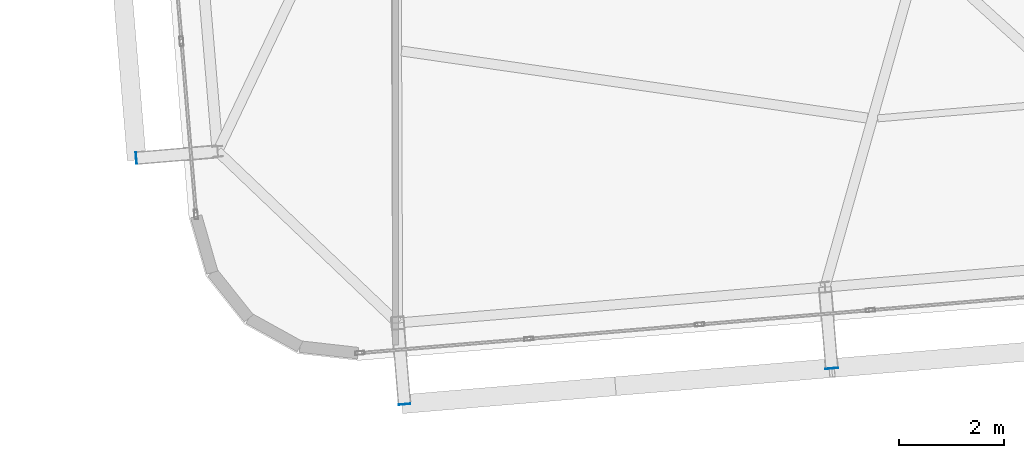
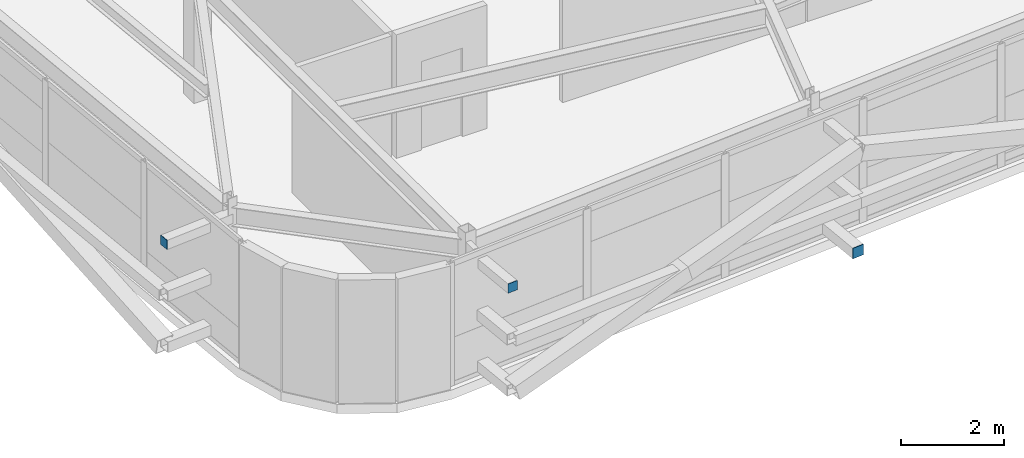
# One storey, part 34 of 46: 3 plates.
"""IFC4 building model written with IfcOpenShell, lengths in metres."""

from ifc_helpers import new_model, si_unit, direction, frame, origin, origin_2d, place, context, subcontext, project, spatial, rectangle, extrude, source, transform, mapped, material, layer, layer_set, type_object, element, save


model = new_model("IFC4")

# Units and contexts
model_context = context("Model", 3, precision=1e-05, world=origin(), true_north=direction((0.0, 1.0)))
body_context = subcontext(model_context, "Body", "Model", "MODEL_VIEW")
ifc_project = project(units=[si_unit("LENGTHUNIT", "METRE"), si_unit("AREAUNIT", "SQUARE_METRE"), si_unit("VOLUMEUNIT", "CUBIC_METRE"), si_unit("PLANEANGLEUNIT", "RADIAN"), si_unit("MASSUNIT", "GRAM", prefix="KILO")], contexts=[model_context])

# Site, building, storey
site_placement = place(None, origin())
site = spatial("IfcSite", under=ifc_project, at=site_placement, CompositionType="ELEMENT")
building_placement = place(site_placement, origin())
building = spatial("IfcBuilding", under=site, at=building_placement, Name="Taldren Reach Tower", CompositionType="ELEMENT")
storey_placement = place(building_placement, frame((0.0, 0.0, 185.14990234375)))
storey = spatial("IfcBuildingStorey", under=building, at=storey_placement, Name="L56", CompositionType="ELEMENT", Elevation=185.14990234375)

# Plates
ifc_material_1 = material(Name="Steel Gr 350 (C350L0)", Category="steel")
ifc_layer_1 = layer(ifc_material_1, 0.011962890625)
ifc_layer_set_1 = layer_set([ifc_layer_1], Name="Steel Gr 350 (C350L0)")
plate_type_1 = type_object("IfcPlateType", Name="PL-CAP-250", PredefinedType="SHEET", material=ifc_layer_set_1)
shared_shape_1 = source(origin(), body_context, "Body", "SweptSolid", [
    extrude(rectangle(XDim=0.25, YDim=0.011962890625, at=origin_2d()), origin(), (0.0, 0.0, 1.0), 0.25),
])
plate_1_placement = place(storey_placement, frame((26.321044921875, 1.22802734375, 0.09521484375), z_axis=(0.0, 0.0, 1.0), x_axis=(0.99649285925, 0.083677843332, 0.0)))
element("IfcPlate", 1, at=plate_1_placement, inside=storey, type_object=plate_type_1, Name="Tie strut end cap plate B4-S2 L56", PredefinedType="SHEET", context=body_context, shape_type="MappedRepresentation", body=[
    mapped(shared_shape_1, transform((0.0, 0.0, 0.0), scale=1.0)),
])
ifc_material_2 = material(Name="Steel Gr 450 (C450L0)", Category="steel")
ifc_layer_2 = layer(ifc_material_2, 0.011962890625)
ifc_layer_set_2 = layer_set([ifc_layer_2], Name="Steel Gr 450 (C450L0)")
plate_type_2 = type_object("IfcPlateType", Name="PL-CAP-220", PredefinedType="SHEET", material=ifc_layer_set_2)
shared_shape_2 = source(origin(), body_context, "Body", "SweptSolid", [
    extrude(rectangle(XDim=0.219970703125, YDim=0.011962890625, at=origin_2d()), origin(), (0.0, 0.0, 1.0), 0.219970703125),
])
plate_2_placement = place(storey_placement, frame((18.169921875, 0.54345703125, 2.5400390625), z_axis=(0.0, 0.0, 1.0), x_axis=(0.99649285925, 0.083677843332, 0.0)))
element("IfcPlate", 2, at=plate_2_placement, inside=storey, type_object=plate_type_2, Name="Tie strut end cap plate B4-S1 L56", PredefinedType="SHEET", context=body_context, shape_type="MappedRepresentation", body=[
    mapped(shared_shape_2, transform((0.0, 0.0, 0.0), scale=1.0)),
])
shared_shape_3 = source(origin(), body_context, "Body", "SweptSolid", [
    extrude(rectangle(XDim=0.011962890625, YDim=0.219970703125, at=origin_2d()), origin(), (0.0, 0.0, 1.0), 0.219970703125),
])
plate_3_placement = place(storey_placement, frame((13.052978515625, 5.23779296875, 2.5400390625), z_axis=(0.0, 0.0, 1.0), x_axis=(0.99649285925, 0.083677843332, 0.0)))
element("IfcPlate", 3, at=plate_3_placement, inside=storey, type_object=plate_type_2, Name="Tie strut end cap plate B4-W1 L56", PredefinedType="SHEET", context=body_context, shape_type="MappedRepresentation", body=[
    mapped(shared_shape_3, transform((0.0, 0.0, 0.0), scale=1.0)),
])

save(model, "model.ifc")
